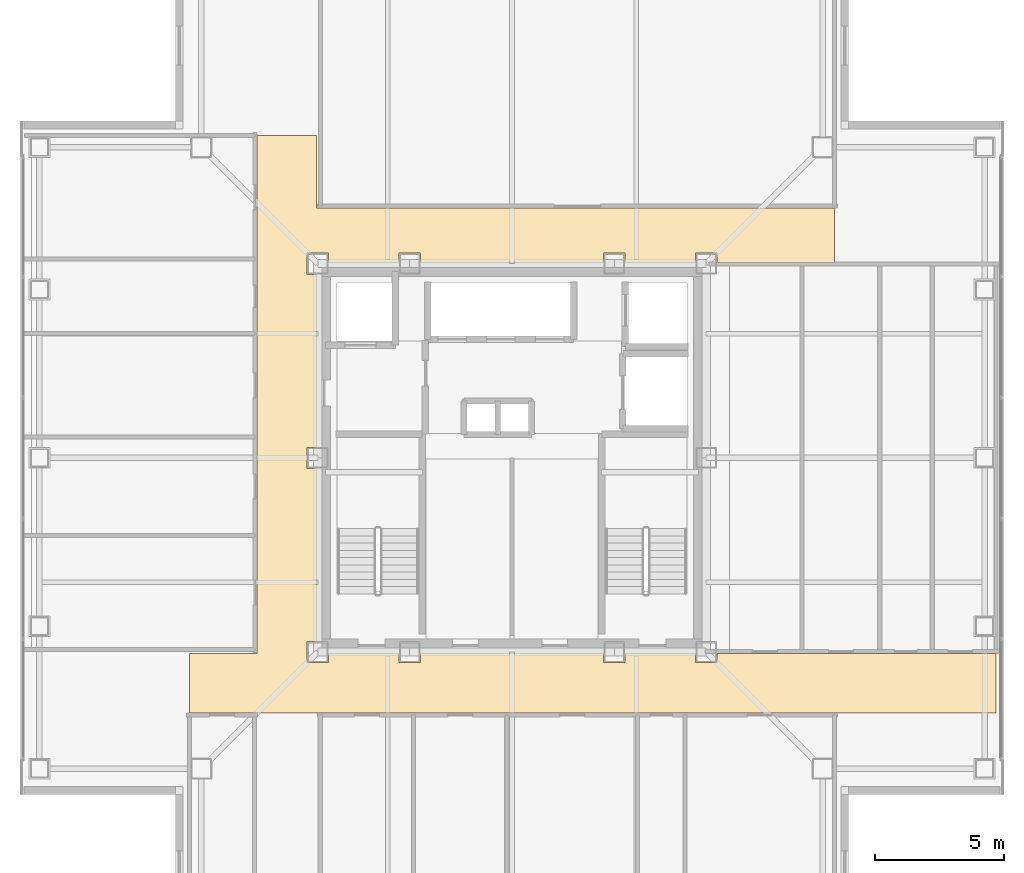
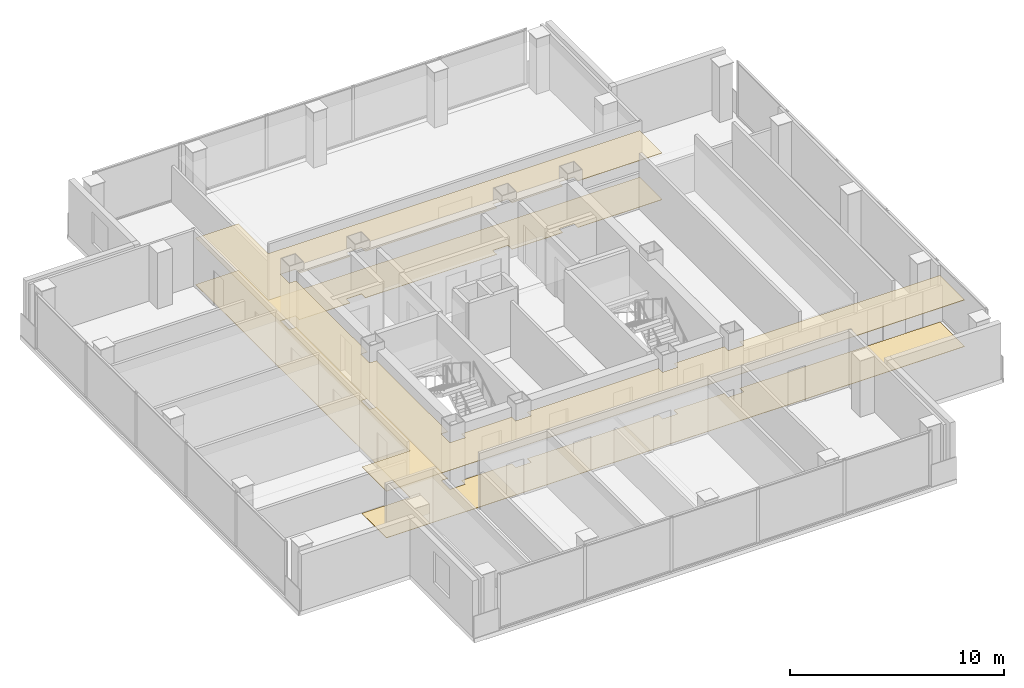
# One storey, part 14 of 16: 2 coverings.
"""IFC4 building model written with IfcOpenShell, lengths in metres."""

import ifcopenshell
import ifcopenshell.guid

model = None  # the IFC model being written
_history = None  # IfcOwnerHistory: only IFC2X3 demands one
_inside = {}  # id of a spatial element -> (the spatial element, [elements in it])
_under = {}  # id of a project, library or spatial element -> (it, [spatial elements below it])
_declared = {}  # id of a project -> (the project, [libraries it declares])
_typed = {}  # id of a type object -> (the type object, [elements of that type])
_made_of = {}  # id of a material, layer set ... -> (it, [elements and type objects made of it])


def new_model(schema):
    """Start an empty IFC model of exactly this schema.

    Asked for "IFC4X3", IfcOpenShell would pick the latest addendum, in which some entities
    have other attributes; the version numbers below select the first issue.
    IFC2X3 requires an IfcOwnerHistory on every rooted entity: one is made here for all.
    """
    global model, _history
    if schema == "IFC4X3":
        model = ifcopenshell.file(schema_version=(4, 3, 0, 0))
    else:
        model = ifcopenshell.file(schema=schema)
    _inside.clear()
    _under.clear()
    _declared.clear()
    _typed.clear()
    _made_of.clear()
    _history = None
    if model.schema == "IFC2X3":
        org = make("IfcOrganization", Name="unknown")
        user = make(
            "IfcPersonAndOrganization",
            ThePerson=make("IfcPerson", FamilyName="unknown"),
            TheOrganization=org,
        )
        app = make(
            "IfcApplication",
            ApplicationDeveloper=org,
            Version="unknown",
            ApplicationFullName="unknown",
            ApplicationIdentifier="unknown",
        )
        _history = make(
            "IfcOwnerHistory",
            OwningUser=user,
            OwningApplication=app,
            ChangeAction="ADDED",
            CreationDate=0,
        )
    return model


def make(cls, **values):
    """One entity of the class cls with the attributes given. An attribute that is None is left unset."""
    return model.create_entity(
        cls, **{name: value for name, value in values.items() if value is not None}
    )


def rooted(cls, **values):
    """An entity with a GlobalId (a new one), such as an element, a storey or a relation."""
    return make(cls, GlobalId=ifcopenshell.guid.new(), OwnerHistory=_history, **values)


def si_unit(unit_type, name, prefix=None):
    """IfcSIUnit, for example si_unit("LENGTHUNIT", "METRE", prefix="MILLI")."""
    return make("IfcSIUnit", UnitType=unit_type, Prefix=prefix, Name=name)


def assignment(units):
    """IfcUnitAssignment: the units of a project."""
    return None if units is None else make("IfcUnitAssignment", Units=units)


def point(xyz):
    """IfcCartesianPoint."""
    return None if xyz is None else make("IfcCartesianPoint", Coordinates=xyz)


def direction(xyz):
    """IfcDirection."""
    return None if xyz is None else make("IfcDirection", DirectionRatios=xyz)


def frame(location, z_axis=None, x_axis=None):
    """IfcAxis2Placement3D, a coordinate frame: its origin and axes. An axis left out is left unset."""
    return make(
        "IfcAxis2Placement3D",
        Location=point(location),
        Axis=direction(z_axis),
        RefDirection=direction(x_axis),
    )


def origin():
    """The frame at (0, 0, 0) with its axes left unset."""
    return frame((0.0, 0.0, 0.0))


def place(relative_to, where):
    """IfcLocalPlacement: puts the frame where relative to a parent placement (None: the world)."""
    return make(
        "IfcLocalPlacement", PlacementRelTo=relative_to, RelativePlacement=where
    )


def context(
    kind, dimensions, precision=None, world=None, true_north=None, identifier=None
):
    """IfcGeometricRepresentationContext, for example the 3D "Model" context."""
    return make(
        "IfcGeometricRepresentationContext",
        ContextIdentifier=identifier,
        ContextType=kind,
        CoordinateSpaceDimension=dimensions,
        Precision=precision,
        WorldCoordinateSystem=world,
        TrueNorth=true_north,
    )


def subcontext(parent, identifier, kind, view, scale=None):
    """IfcGeometricRepresentationSubContext, for example "Body" below "Model"."""
    return make(
        "IfcGeometricRepresentationSubContext",
        ContextIdentifier=identifier,
        ContextType=kind,
        ParentContext=parent,
        TargetScale=scale,
        TargetView=view,
    )


def project(units=None, contexts=None):
    """IfcProject with its units and contexts."""
    return rooted(
        "IfcProject",
        Name="project",
        RepresentationContexts=contexts,
        UnitsInContext=assignment(units),
    )


def spatial(cls, under=None, at=None, **own):
    """A site, building, storey or space (cls), placed at a placement, below another one or the project."""
    s = rooted(cls, ObjectPlacement=at, **own)
    if under is not None:
        _under.setdefault(under.id(), (under, []))[1].append(s)
    return s


def polyline(points):
    """IfcPolyline through the points."""
    return make("IfcPolyline", Points=[point(p) for p in points])


def outline(outer, holes=None, kind="AREA"):
    """IfcArbitraryClosedProfileDef: a profile drawn as a closed curve; with holes, ...WithVoids."""
    if holes is None:
        return make("IfcArbitraryClosedProfileDef", ProfileType=kind, OuterCurve=outer)
    return make(
        "IfcArbitraryProfileDefWithVoids",
        ProfileType=kind,
        OuterCurve=outer,
        InnerCurves=holes,
    )


def extrude(swept, where, along, depth):
    """IfcExtrudedAreaSolid: the profile swept, set in the frame where, extruded along a direction by depth."""
    return make(
        "IfcExtrudedAreaSolid",
        SweptArea=swept,
        Position=where,
        ExtrudedDirection=direction(along),
        Depth=depth,
    )


def shape(context_of_items, identifier, shape_type, items):
    """IfcShapeRepresentation: the items that make up one representation, for example the "Body"."""
    return make(
        "IfcShapeRepresentation",
        ContextOfItems=context_of_items,
        RepresentationIdentifier=identifier,
        RepresentationType=shape_type,
        Items=items,
    )


def material(Name=None, Category=None):
    """IfcMaterial."""
    return make("IfcMaterial", Name=Name, Category=Category)


def layer(
    of_material, thickness, ventilated=None, Name=None, Category=None, Priority=None
):
    """IfcMaterialLayer: one layer of a wall or slab, of a material (None: an air gap)."""
    return make(
        "IfcMaterialLayer",
        Material=of_material,
        LayerThickness=thickness,
        IsVentilated=ventilated,
        Name=Name,
        Category=Category,
        Priority=Priority,
    )


def layer_set(layers, Name=None):
    """IfcMaterialLayerSet."""
    return make("IfcMaterialLayerSet", MaterialLayers=layers, LayerSetName=Name)


def made_of(thing, what):
    """Note that an element or type object is made of a material, layer set ...; save() writes the relation."""
    if what is not None:
        _made_of.setdefault(what.id(), (what, []))[1].append(thing)
    return thing


def type_object(cls, material=None, **own):
    """A type object (cls), such as IfcWallType, which elements share."""
    return made_of(rooted(cls, **own), material)


def element(
    cls,
    number,
    at=None,
    inside=None,
    cuts=None,
    type_object=None,
    material=None,
    context=None,
    identifier="Body",
    shape_type=None,
    held_by="IfcProductDefinitionShape",
    body=None,
    shapes=None,
    **own,
):
    """One element of the class cls, such as IfcWall. Its Tag is "e" and its number.

    at: its placement. inside: the storey or other place that contains it. cuts: it is an
    opening in that element (IfcRelVoidsElement). A single representation is given by context,
    identifier, shape_type and body (its items); several are given by shapes. held_by: the class
    of the entity that holds the representations. save() writes the other relations.
    """
    e = rooted(cls, Tag="e%d" % number, ObjectPlacement=at, **own)
    if body is not None:
        shapes = [shape(context, identifier, shape_type, body)]
    if shapes is not None:
        e.Representation = make(held_by, Representations=shapes)
    if inside is not None:
        _inside.setdefault(inside.id(), (inside, []))[1].append(e)
    if cuts is not None:
        rooted(
            "IfcRelVoidsElement", RelatingBuildingElement=cuts, RelatedOpeningElement=e
        )
    if type_object is not None:
        _typed.setdefault(type_object.id(), (type_object, []))[1].append(e)
    return made_of(e, material)


def aggregate(whole, parts):
    """IfcRelAggregates: a whole, such as a stair, and the parts it consists of."""
    return rooted("IfcRelAggregates", RelatingObject=whole, RelatedObjects=parts)


def save(model, path):
    """Write the relations noted so far, then the file.

    IfcRelAggregates (storeys below a building ...), IfcRelContainedInSpatialStructure (elements
    in a storey), IfcRelDefinesByType, IfcRelAssociatesMaterial and IfcRelDeclares: one each for
    every whole, place, type object, material and project.
    """
    for whole, parts in _under.values():
        aggregate(whole, parts)
    for where, things in _inside.values():
        rooted(
            "IfcRelContainedInSpatialStructure",
            RelatedElements=things,
            RelatingStructure=where,
        )
    for kind, things in _typed.values():
        rooted("IfcRelDefinesByType", RelatedObjects=things, RelatingType=kind)
    for what, things in _made_of.values():
        rooted("IfcRelAssociatesMaterial", RelatedObjects=things, RelatingMaterial=what)
    for by, libraries in _declared.values():
        rooted("IfcRelDeclares", RelatingContext=by, RelatedDefinitions=libraries)
    model.write(path)


model = new_model("IFC4")

# Units and contexts
model_context = context("Model", 3, precision=1e-05, world=origin(), true_north=direction((0.0, 1.0)))
body_context = subcontext(model_context, "Body", "Model", "MODEL_VIEW")
ifc_project = project(units=[si_unit("LENGTHUNIT", "METRE"), si_unit("AREAUNIT", "SQUARE_METRE"), si_unit("VOLUMEUNIT", "CUBIC_METRE"), si_unit("PLANEANGLEUNIT", "RADIAN"), si_unit("MASSUNIT", "GRAM", prefix="KILO")], contexts=[model_context])

# Site, building, storey
site_placement = place(None, origin())
site = spatial("IfcSite", under=ifc_project, at=site_placement, CompositionType="ELEMENT")
building_placement = place(site_placement, origin())
building = spatial("IfcBuilding", under=site, at=building_placement, Name="Trevonay Congress Spire", CompositionType="ELEMENT")
storey_placement = place(building_placement, frame((0.0, 0.0, 297.199951171875)))
storey = spatial("IfcBuildingStorey", under=building, at=storey_placement, Name="L78", CompositionType="ELEMENT", Elevation=297.199951171875)

# Coverings
ifc_material_1 = material(Name="Acoustic Mineral Fibre Board", Category="gypsum")
ifc_layer_1 = layer(ifc_material_1, 0.02490234375, Name="Acoustic Mineral Fibre Board")
ifc_layer_set_1 = layer_set([ifc_layer_1], Name="Acoustic Mineral Fibre Board")
covering_type_1 = type_object("IfcCoveringType", Name="COV-CEIL-ACOUSTIC", PredefinedType="CEILING", material=ifc_layer_set_1)
covering_1_placement = place(storey_placement, frame((0.0, 0.0, 2.650146484375)))
element("IfcCovering", 1, at=covering_1_placement, inside=storey, type_object=covering_type_1, Name="L78 Cruciform Boulevard Corridor acoustic suspended ceiling", PredefinedType="CEILING", context=body_context, shape_type="SweptSolid", body=[
    extrude(outline(polyline([(18.699951171875, -7.550048828125), (18.699951171875, -9.85009765625), (-12.449951171875, -9.85009765625), (-12.449951171875, -7.550048828125), (-9.85009765625, -7.550048828125), (-9.85009765625, 12.449951171875), (-7.550048828125, 12.449951171875), (-7.550048828125, 9.64990234375), (12.449951171875, 9.64990234375), (12.449951171875, 7.550048828125), (7.909912109375, 7.550048828125), (7.909912109375, 7.909912109375), (7.090087890625, 7.909912109375), (7.090087890625, 7.550048828125), (4.360107421875, 7.550048828125), (4.360107421875, 7.909912109375), (3.5400390625, 7.909912109375), (3.5400390625, 7.550048828125), (-3.5400390625, 7.550048828125), (-3.5400390625, 7.909912109375), (-4.360107421875, 7.909912109375), (-4.360107421875, 7.550048828125), (-7.090087890625, 7.550048828125), (-7.090087890625, 7.909912109375), (-7.909912109375, 7.909912109375), (-7.909912109375, 7.090087890625), (-7.550048828125, 7.090087890625), (-7.550048828125, 0.409912109375), (-7.909912109375, 0.409912109375), (-7.909912109375, -0.409912109375), (-7.550048828125, -0.409912109375), (-7.550048828125, -7.090087890625), (-7.909912109375, -7.090087890625), (-7.909912109375, -7.909912109375), (-7.090087890625, -7.909912109375), (-7.090087890625, -7.550048828125), (-4.360107421875, -7.550048828125), (-4.360107421875, -7.909912109375), (-3.5400390625, -7.909912109375), (-3.5400390625, -7.550048828125), (3.5400390625, -7.550048828125), (3.5400390625, -7.909912109375), (4.360107421875, -7.909912109375), (4.360107421875, -7.550048828125), (7.090087890625, -7.550048828125), (7.090087890625, -7.909912109375), (7.909912109375, -7.909912109375), (7.909912109375, -7.550048828125), (18.699951171875, -7.550048828125)])), origin(), (0.0, 0.0, 1.0), 0.02490234375),
])
ifc_material_2 = material(Name="Polished Granite Floor Tile", Category="masonry")
ifc_layer_2 = layer(ifc_material_2, 0.02001953125, Name="Polished Granite Floor Tile")
ifc_layer_set_2 = layer_set([ifc_layer_2], Name="Polished Granite Floor Tile")
covering_type_2 = type_object("IfcCoveringType", Name="COV-FLOOR-STONE", PredefinedType="FLOORING", material=ifc_layer_set_2)
covering_2_placement = place(storey_placement, origin())
element("IfcCovering", 2, at=covering_2_placement, inside=storey, type_object=covering_type_2, Name="L78 Cruciform Boulevard Corridor floor finish", PredefinedType="FLOORING", context=body_context, shape_type="SweptSolid", body=[
    extrude(outline(polyline([(18.699951171875, -7.550048828125), (18.699951171875, -9.85009765625), (-12.449951171875, -9.85009765625), (-12.449951171875, -7.550048828125), (-9.85009765625, -7.550048828125), (-9.85009765625, 12.449951171875), (-7.550048828125, 12.449951171875), (-7.550048828125, 9.64990234375), (12.449951171875, 9.64990234375), (12.449951171875, 7.550048828125), (7.909912109375, 7.550048828125), (7.909912109375, 7.909912109375), (7.090087890625, 7.909912109375), (7.090087890625, 7.550048828125), (4.360107421875, 7.550048828125), (4.360107421875, 7.909912109375), (3.5400390625, 7.909912109375), (3.5400390625, 7.550048828125), (-3.5400390625, 7.550048828125), (-3.5400390625, 7.909912109375), (-4.360107421875, 7.909912109375), (-4.360107421875, 7.550048828125), (-7.090087890625, 7.550048828125), (-7.090087890625, 7.909912109375), (-7.909912109375, 7.909912109375), (-7.909912109375, 7.090087890625), (-7.550048828125, 7.090087890625), (-7.550048828125, 0.409912109375), (-7.909912109375, 0.409912109375), (-7.909912109375, -0.409912109375), (-7.550048828125, -0.409912109375), (-7.550048828125, -7.090087890625), (-7.909912109375, -7.090087890625), (-7.909912109375, -7.909912109375), (-7.090087890625, -7.909912109375), (-7.090087890625, -7.550048828125), (-4.360107421875, -7.550048828125), (-4.360107421875, -7.909912109375), (-3.5400390625, -7.909912109375), (-3.5400390625, -7.550048828125), (3.5400390625, -7.550048828125), (3.5400390625, -7.909912109375), (4.360107421875, -7.909912109375), (4.360107421875, -7.550048828125), (7.090087890625, -7.550048828125), (7.090087890625, -7.909912109375), (7.909912109375, -7.909912109375), (7.909912109375, -7.550048828125), (18.699951171875, -7.550048828125)])), origin(), (0.0, 0.0, 1.0), 0.02001953125),
])

save(model, "model.ifc")
